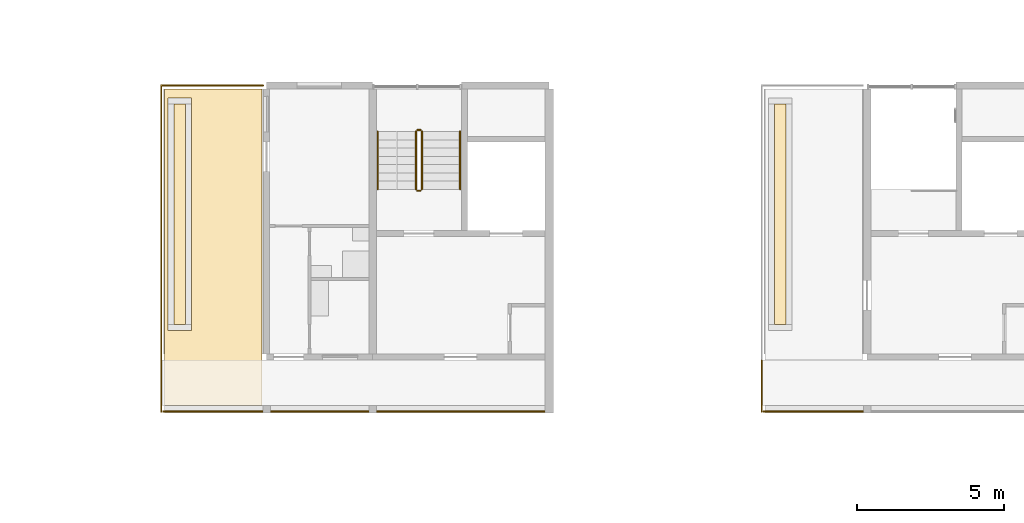
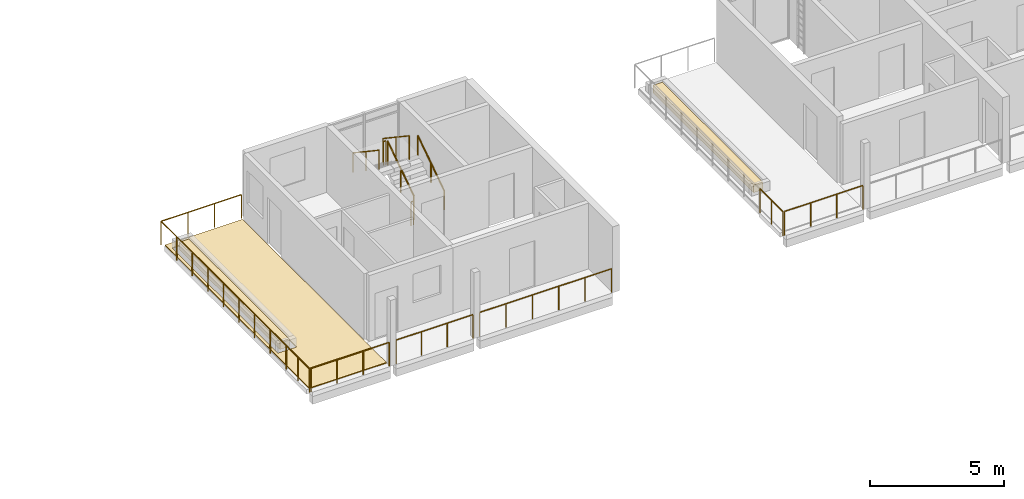
# One storey, part 80 of 87: 13 railings, 4 coverings.
"""IFC4 building model written with IfcOpenShell, lengths in metres."""

from ifc_helpers import new_model, si_unit, direction, frame, origin, origin_2d, place, context, subcontext, project, spatial, polyline, circle, outline, extrude, material, layer, layer_set, type_object, element, save


model = new_model("IFC4")

# Units and contexts
model_context = context("Model", 3, precision=1e-05, world=origin(), true_north=direction((0.0, 1.0)))
body_context = subcontext(model_context, "Body", "Model", "MODEL_VIEW")
ifc_project = project(units=[si_unit("LENGTHUNIT", "METRE"), si_unit("AREAUNIT", "SQUARE_METRE"), si_unit("VOLUMEUNIT", "CUBIC_METRE"), si_unit("PLANEANGLEUNIT", "RADIAN"), si_unit("MASSUNIT", "GRAM", prefix="KILO")], contexts=[model_context])

# Site, building, storey
site_placement = place(None, origin())
site = spatial("IfcSite", under=ifc_project, at=site_placement, CompositionType="ELEMENT")
building_placement = place(site_placement, origin())
building = spatial("IfcBuilding", under=site, at=building_placement, Name="Ridgestep Commons", CompositionType="ELEMENT")
storey_placement = place(building_placement, frame((0.0, 0.0, 27.0)))
storey = spatial("IfcBuildingStorey", under=building, at=storey_placement, Name="L09", CompositionType="ELEMENT", Elevation=27.0)

# Railings
ifc_material_1 = material(Name="Structural steel S355JR", Category="steel")
railing_type_1 = type_object("IfcRailingType", Name="Guard 1100", PredefinedType="GUARDRAIL", material=ifc_material_1)
railing_1_placement = place(storey_placement, frame((150.4208984375, 67.821044921875, 0.0)))
element("IfcRailing", 1, at=railing_1_placement, inside=storey, type_object=railing_type_1, Name="Guard TD-C1R2-GD", PredefinedType="GUARDRAIL", context=body_context, shape_type="SweptSolid", body=[
    extrude(circle(Radius=0.02392578125, at=origin_2d()), frame((0.0, 0.0, 1.076171875), z_axis=(0.0, 1.0, 0.0), x_axis=(-1.0, 0.0, 0.0)), (0.0, 0.0, 1.0), 9.303955078125),
    extrude(circle(Radius=0.02392578125, at=origin_2d()), frame((0.0, 9.303955078125, 1.076171875), z_axis=(1.0, 0.0, 0.0), x_axis=(0.0, 1.0, 0.0)), (0.0, 0.0, 1.0), 3.4580078125),
    extrude(circle(Radius=0.02099609375, at=origin_2d()), origin(), (0.0, 0.0, 1.0), 1.052001953125),
    extrude(circle(Radius=0.02099609375, at=origin_2d()), frame((0.0, 1.1630859375, 0.0)), (0.0, 0.0, 1.0), 1.052001953125),
    extrude(circle(Radius=0.02099609375, at=origin_2d()), frame((0.0, 2.325927734375, 0.0)), (0.0, 0.0, 1.0), 1.052001953125),
    extrude(circle(Radius=0.02099609375, at=origin_2d()), frame((0.0, 3.489013671875, 0.0)), (0.0, 0.0, 1.0), 1.052001953125),
    extrude(circle(Radius=0.02099609375, at=origin_2d()), frame((0.0, 4.65185546875, 0.0)), (0.0, 0.0, 1.0), 1.052001953125),
    extrude(circle(Radius=0.02099609375, at=origin_2d()), frame((0.0, 5.81494140625, 0.0)), (0.0, 0.0, 1.0), 1.052001953125),
    extrude(circle(Radius=0.02099609375, at=origin_2d()), frame((0.0, 6.97802734375, 0.0)), (0.0, 0.0, 1.0), 1.052001953125),
    extrude(circle(Radius=0.02099609375, at=origin_2d()), frame((0.0, 8.140869140625, 0.0)), (0.0, 0.0, 1.0), 1.052001953125),
    extrude(circle(Radius=0.02099609375, at=origin_2d()), frame((0.0, 9.303955078125, 0.0)), (0.0, 0.0, 1.0), 1.052001953125),
    extrude(circle(Radius=0.02099609375, at=origin_2d()), frame((1.152587890625, 9.303955078125, 0.0)), (0.0, 0.0, 1.0), 1.052001953125),
    extrude(circle(Radius=0.02099609375, at=origin_2d()), frame((2.305419921875, 9.303955078125, 0.0)), (0.0, 0.0, 1.0), 1.052001953125),
    extrude(circle(Radius=0.02099609375, at=origin_2d()), frame((3.4580078125, 9.303955078125, 0.0)), (0.0, 0.0, 1.0), 1.052001953125),
])
railing_2_placement = place(storey_placement, frame((150.48388671875, 66.050048828125, 0.0)))
element("IfcRailing", 2, at=railing_2_placement, inside=storey, type_object=railing_type_1, Name="Gallery guard C 09.1", PredefinedType="GUARDRAIL", context=body_context, shape_type="SweptSolid", body=[
    extrude(circle(Radius=0.02392578125, at=origin_2d()), frame((0.0, 0.0, 1.076171875), z_axis=(1.0, 0.0, 0.0), x_axis=(0.0, 1.0, 0.0)), (0.0, 0.0, 1.0), 3.3701171875),
    extrude(circle(Radius=0.02099609375, at=origin_2d()), origin(), (0.0, 0.0, 1.0), 1.052001953125),
    extrude(circle(Radius=0.02099609375, at=origin_2d()), frame((1.123291015625, 0.0, 0.0)), (0.0, 0.0, 1.0), 1.052001953125),
    extrude(circle(Radius=0.02099609375, at=origin_2d()), frame((2.246826171875, 0.0, 0.0)), (0.0, 0.0, 1.0), 1.052001953125),
    extrude(circle(Radius=0.02099609375, at=origin_2d()), frame((3.3701171875, 0.0, 0.0)), (0.0, 0.0, 1.0), 1.052001953125),
])
railing_3_placement = place(storey_placement, frame((150.4208984375, 66.050048828125, 0.0)))
element("IfcRailing", 3, at=railing_3_placement, inside=storey, type_object=railing_type_1, Name="Gallery end guard C 09.1W", PredefinedType="GUARDRAIL", context=body_context, shape_type="SweptSolid", body=[
    extrude(circle(Radius=0.02392578125, at=origin_2d()), frame((0.0, 0.0, 1.076171875), z_axis=(0.0, 1.0, 0.0), x_axis=(-1.0, 0.0, 0.0)), (0.0, 0.0, 1.0), 1.72900390625),
    extrude(circle(Radius=0.02099609375, at=origin_2d()), origin(), (0.0, 0.0, 1.0), 1.052001953125),
    extrude(circle(Radius=0.02099609375, at=origin_2d()), frame((0.0, 0.864501953125, 0.0)), (0.0, 0.0, 1.0), 1.052001953125),
    extrude(circle(Radius=0.02099609375, at=origin_2d()), frame((0.0, 1.72900390625, 0.0)), (0.0, 0.0, 1.0), 1.052001953125),
])
railing_4_placement = place(storey_placement, frame((154.14599609375, 66.050048828125, 0.0)))
element("IfcRailing", 4, at=railing_4_placement, inside=storey, type_object=railing_type_1, Name="Gallery guard C 09.2", PredefinedType="GUARDRAIL", context=body_context, shape_type="SweptSolid", body=[
    extrude(circle(Radius=0.02392578125, at=origin_2d()), frame((0.0, 0.0, 1.076171875), z_axis=(1.0, 0.0, 0.0), x_axis=(0.0, 1.0, 0.0)), (0.0, 0.0, 1.0), 3.30810546875),
    extrude(circle(Radius=0.02099609375, at=origin_2d()), origin(), (0.0, 0.0, 1.0), 1.052001953125),
    extrude(circle(Radius=0.02099609375, at=origin_2d()), frame((1.102783203125, 0.0, 0.0)), (0.0, 0.0, 1.0), 1.052001953125),
    extrude(circle(Radius=0.02099609375, at=origin_2d()), frame((2.205322265625, 0.0, 0.0)), (0.0, 0.0, 1.0), 1.052001953125),
    extrude(circle(Radius=0.02099609375, at=origin_2d()), frame((3.30810546875, 0.0, 0.0)), (0.0, 0.0, 1.0), 1.052001953125),
])
railing_5_placement = place(storey_placement, frame((157.74609375, 66.050048828125, 0.0)))
element("IfcRailing", 5, at=railing_5_placement, inside=storey, type_object=railing_type_1, Name="Gallery guard C 09.3", PredefinedType="GUARDRAIL", context=body_context, shape_type="SweptSolid", body=[
    extrude(circle(Radius=0.02392578125, at=origin_2d()), frame((0.0, 0.0, 1.076171875), z_axis=(1.0, 0.0, 0.0), x_axis=(0.0, 1.0, 0.0)), (0.0, 0.0, 1.0), 5.682861328125),
    extrude(circle(Radius=0.02099609375, at=origin_2d()), origin(), (0.0, 0.0, 1.0), 1.052001953125),
    extrude(circle(Radius=0.02099609375, at=origin_2d()), frame((1.136474609375, 0.0, 0.0)), (0.0, 0.0, 1.0), 1.052001953125),
    extrude(circle(Radius=0.02099609375, at=origin_2d()), frame((2.273193359375, 0.0, 0.0)), (0.0, 0.0, 1.0), 1.052001953125),
    extrude(circle(Radius=0.02099609375, at=origin_2d()), frame((3.40966796875, 0.0, 0.0)), (0.0, 0.0, 1.0), 1.052001953125),
    extrude(circle(Radius=0.02099609375, at=origin_2d()), frame((4.54638671875, 0.0, 0.0)), (0.0, 0.0, 1.0), 1.052001953125),
    extrude(circle(Radius=0.02099609375, at=origin_2d()), frame((5.682861328125, 0.0, 0.0)), (0.0, 0.0, 1.0), 1.052001953125),
])
railing_6_placement = place(storey_placement, frame((170.884033203125, 66.050048828125, 0.0)))
element("IfcRailing", 6, at=railing_6_placement, inside=storey, type_object=railing_type_1, Name="Gallery guard C 09.1", PredefinedType="GUARDRAIL", context=body_context, shape_type="SweptSolid", body=[
    extrude(circle(Radius=0.02392578125, at=origin_2d()), frame((0.0, 0.0, 1.076171875), z_axis=(1.0, 0.0, 0.0), x_axis=(0.0, 1.0, 0.0)), (0.0, 0.0, 1.0), 3.369873046875),
    extrude(circle(Radius=0.02099609375, at=origin_2d()), origin(), (0.0, 0.0, 1.0), 1.052001953125),
    extrude(circle(Radius=0.02099609375, at=origin_2d()), frame((1.123291015625, 0.0, 0.0)), (0.0, 0.0, 1.0), 1.052001953125),
    extrude(circle(Radius=0.02099609375, at=origin_2d()), frame((2.24658203125, 0.0, 0.0)), (0.0, 0.0, 1.0), 1.052001953125),
    extrude(circle(Radius=0.02099609375, at=origin_2d()), frame((3.369873046875, 0.0, 0.0)), (0.0, 0.0, 1.0), 1.052001953125),
])
railing_7_placement = place(storey_placement, frame((170.821044921875, 66.050048828125, 0.0)))
element("IfcRailing", 7, at=railing_7_placement, inside=storey, type_object=railing_type_1, Name="Gallery end guard C 09.1W", PredefinedType="GUARDRAIL", context=body_context, shape_type="SweptSolid", body=[
    extrude(circle(Radius=0.02392578125, at=origin_2d()), frame((0.0, 0.0, 1.076171875), z_axis=(0.0, 1.0, 0.0), x_axis=(-1.0, 0.0, 0.0)), (0.0, 0.0, 1.0), 1.72900390625),
    extrude(circle(Radius=0.02099609375, at=origin_2d()), origin(), (0.0, 0.0, 1.0), 1.052001953125),
    extrude(circle(Radius=0.02099609375, at=origin_2d()), frame((0.0, 0.864501953125, 0.0)), (0.0, 0.0, 1.0), 1.052001953125),
    extrude(circle(Radius=0.02099609375, at=origin_2d()), frame((0.0, 1.72900390625, 0.0)), (0.0, 0.0, 1.0), 1.052001953125),
])

# Coverings
ifc_material_2 = material(Name="Planting soil")
ifc_layer_1 = layer(ifc_material_2, 0.35009765625)
ifc_layer_set_1 = layer_set([ifc_layer_1], Name="Planting soil 350")
covering_type_1 = type_object("IfcCoveringType", Name="Planting soil 350", PredefinedType="FLOORING", material=ifc_layer_set_1)
covering_1_placement = place(storey_placement, frame((0.0, 0.0, 0.010009765625)))
element("IfcCovering", 8, at=covering_1_placement, inside=storey, type_object=covering_type_1, Name="Planting soil C1R2", PredefinedType="FLOORING", context=body_context, shape_type="SweptSolid", body=[
    extrude(outline(polyline([(150.85009765625, 69.0), (151.25, 69.0), (151.25, 76.5), (150.85009765625, 76.5), (150.85009765625, 69.0)])), origin(), (0.0, 0.0, 1.0), 0.35009765625),
])
covering_2_placement = place(storey_placement, frame((0.0, 0.0, 0.010009765625)))
element("IfcCovering", 9, at=covering_2_placement, inside=storey, type_object=covering_type_1, Name="Planting soil C2R3", PredefinedType="FLOORING", context=body_context, shape_type="SweptSolid", body=[
    extrude(outline(polyline([(171.25, 69.0), (171.64990234375, 69.0), (171.64990234375, 76.5), (171.25, 76.5), (171.25, 69.0)])), origin(), (0.0, 0.0, 1.0), 0.35009765625),
])

# Railings
ifc_material_3 = material(Name="Structural steel S355JR", Category="steel")
railing_type_2 = type_object("IfcRailingType", Name="Stair guard 1100", PredefinedType="GUARDRAIL", material=ifc_material_3)
railing_8_placement = place(storey_placement, frame((159.27490234375, 73.60009765625, 0.1875)))
element("IfcRailing", 10, at=railing_8_placement, inside=storey, type_object=railing_type_2, Name="L09 C1C stair guard 1", PredefinedType="GUARDRAIL", context=body_context, shape_type="SweptSolid", body=[
    extrude(circle(Radius=0.02392578125, at=origin_2d()), frame((0.0, 0.0, 1.076171875), z_axis=(0.0, 0.830902050051, 0.556418712142), x_axis=(-1.0, 0.0, 0.0)), (0.0, 0.0, 1.0), 2.35888671875),
    extrude(circle(Radius=0.02099609375, at=origin_2d()), origin(), (0.0, 0.0, 1.0), 1.052001953125),
    extrude(circle(Radius=0.02099609375, at=origin_2d()), frame((0.0, 0.97998046875, 0.65625)), (0.0, 0.0, 1.0), 1.052001953125),
    extrude(circle(Radius=0.02099609375, at=origin_2d()), frame((0.0, 1.9599609375, 1.3125)), (0.0, 0.0, 1.0), 1.052001953125),
])
railing_9_placement = place(storey_placement, frame((159.22509765625, 75.610107421875, 1.5)))
element("IfcRailing", 11, at=railing_9_placement, inside=storey, type_object=railing_type_2, Name="L09 C1C stair guard 2", PredefinedType="GUARDRAIL", context=body_context, shape_type="SweptSolid", body=[
    extrude(circle(Radius=0.02392578125, at=origin_2d()), frame((0.0, 0.0, 1.076171875), z_axis=(-1.0, 0.0, 0.0), x_axis=(0.0, -1.0, 0.0)), (0.0, 0.0, 1.0), 0.10009765625),
    extrude(circle(Radius=0.02099609375, at=origin_2d()), origin(), (0.0, 0.0, 1.0), 1.052001953125),
    extrude(circle(Radius=0.02099609375, at=origin_2d()), frame((-0.10009765625, 0.0, 0.0)), (0.0, 0.0, 1.0), 1.052001953125),
])
railing_10_placement = place(storey_placement, frame((159.074951171875, 75.56005859375, 1.6875)))
element("IfcRailing", 12, at=railing_10_placement, inside=storey, type_object=railing_type_2, Name="L09 C1C stair guard 3", PredefinedType="GUARDRAIL", context=body_context, shape_type="SweptSolid", body=[
    extrude(circle(Radius=0.02392578125, at=origin_2d()), frame((0.0, 0.0, 1.076171875), z_axis=(0.0, -0.830902050051, 0.556418712142), x_axis=(1.0, 0.0, 0.0)), (0.0, 0.0, 1.0), 2.35888671875),
    extrude(circle(Radius=0.02099609375, at=origin_2d()), origin(), (0.0, 0.0, 1.0), 1.052001953125),
    extrude(circle(Radius=0.02099609375, at=origin_2d()), frame((0.0, -0.97998046875, 0.65625)), (0.0, 0.0, 1.0), 1.052001953125),
    extrude(circle(Radius=0.02099609375, at=origin_2d()), frame((0.0, -1.9599609375, 1.3125)), (0.0, 0.0, 1.0), 1.052001953125),
])
railing_11_placement = place(storey_placement, frame((159.22509765625, 73.550048828125, 0.0)))
element("IfcRailing", 13, at=railing_11_placement, inside=storey, type_object=railing_type_2, Name="L09 C1C stair guard 4", PredefinedType="GUARDRAIL", context=body_context, shape_type="SweptSolid", body=[
    extrude(circle(Radius=0.02392578125, at=origin_2d()), frame((0.0, 0.0, 1.076171875), z_axis=(-1.0, 0.0, 0.0), x_axis=(0.0, -1.0, 0.0)), (0.0, 0.0, 1.0), 0.10009765625),
    extrude(circle(Radius=0.02099609375, at=origin_2d()), origin(), (0.0, 0.0, 1.0), 1.052001953125),
    extrude(circle(Radius=0.02099609375, at=origin_2d()), frame((-0.10009765625, 0.0, 0.0)), (0.0, 0.0, 1.0), 1.052001953125),
])
ifc_material_4 = material(Name="Structural steel S355JR", Category="steel")
railing_type_3 = type_object("IfcRailingType", Name="Stair handrail 900", PredefinedType="HANDRAIL", material=ifc_material_4)
railing_12_placement = place(storey_placement, frame((160.574951171875, 73.60009765625, 0.1875)))
element("IfcRailing", 14, at=railing_12_placement, inside=storey, type_object=railing_type_3, Name="L09 C1C stair handrail 1", PredefinedType="HANDRAIL", context=body_context, shape_type="SweptSolid", body=[
    extrude(circle(Radius=0.02392578125, at=origin_2d()), frame((0.0, 0.0, 0.8759765625), z_axis=(0.0, 0.830902050051, 0.556418712142), x_axis=(-1.0, 0.0, 0.0)), (0.0, 0.0, 1.0), 2.35888671875),
    extrude(circle(Radius=0.02099609375, at=origin_2d()), origin(), (0.0, 0.0, 1.0), 0.851806640625),
    extrude(circle(Radius=0.02099609375, at=origin_2d()), frame((0.0, 0.97998046875, 0.65625)), (0.0, 0.0, 1.0), 0.851806640625),
    extrude(circle(Radius=0.02099609375, at=origin_2d()), frame((0.0, 1.9599609375, 1.3125)), (0.0, 0.0, 1.0), 0.851806640625),
])
railing_13_placement = place(storey_placement, frame((157.77490234375, 75.56005859375, 1.6875)))
element("IfcRailing", 15, at=railing_13_placement, inside=storey, type_object=railing_type_3, Name="L09 C1C stair handrail 2", PredefinedType="HANDRAIL", context=body_context, shape_type="SweptSolid", body=[
    extrude(circle(Radius=0.02392578125, at=origin_2d()), frame((0.0, 0.0, 0.8759765625), z_axis=(0.0, -0.830902050051, 0.556418712142), x_axis=(1.0, 0.0, 0.0)), (0.0, 0.0, 1.0), 2.35888671875),
    extrude(circle(Radius=0.02099609375, at=origin_2d()), origin(), (0.0, 0.0, 1.0), 0.851806640625),
    extrude(circle(Radius=0.02099609375, at=origin_2d()), frame((0.0, -0.97998046875, 0.65625)), (0.0, 0.0, 1.0), 0.851806640625),
    extrude(circle(Radius=0.02099609375, at=origin_2d()), frame((0.0, -1.9599609375, 1.3125)), (0.0, 0.0, 1.0), 0.851806640625),
])

# Coverings
ifc_material_5 = material(Name="Bitumen membrane, two layer")
ifc_layer_2 = layer(ifc_material_5, 0.010009765625)
ifc_layer_set_2 = layer_set([ifc_layer_2], Name="Terrace membrane 10")
covering_type_2 = type_object("IfcCoveringType", Name="Terrace membrane 10", PredefinedType="ROOFING", material=ifc_layer_set_2)
covering_3_placement = place(storey_placement, origin())
element("IfcCovering", 16, at=covering_3_placement, inside=storey, type_object=covering_type_2, Name="Terrace membrane C1R2", PredefinedType="ROOFING", context=body_context, shape_type="SweptSolid", body=[
    extrude(outline(polyline([(153.85009765625, 66.25), (153.85009765625, 77.0), (150.52490234375, 77.0), (150.52490234375, 66.25), (153.85009765625, 66.25)]), holes=[polyline([(151.449951171875, 68.800048828125), (151.449951171875, 76.699951171875), (150.64990234375, 76.699951171875), (150.64990234375, 68.800048828125), (151.449951171875, 68.800048828125)])]), origin(), (0.0, 0.0, 1.0), 0.010009765625),
])
ifc_material_6 = material(Name="Concrete paving slab", Category="concrete")
ifc_layer_3 = layer(ifc_material_6, 0.030029296875)
ifc_layer_set_3 = layer_set([ifc_layer_3], Name="Terrace paving 30")
covering_type_3 = type_object("IfcCoveringType", Name="Terrace paving 30", PredefinedType="FLOORING", material=ifc_layer_set_3)
covering_4_placement = place(storey_placement, frame((0.0, 0.0, 0.010009765625)))
element("IfcCovering", 17, at=covering_4_placement, inside=storey, type_object=covering_type_3, Name="Terrace paving C1R2", PredefinedType="FLOORING", context=body_context, shape_type="SweptSolid", body=[
    extrude(outline(polyline([(153.85009765625, 66.25), (153.85009765625, 77.0), (150.52490234375, 77.0), (150.52490234375, 66.25), (153.85009765625, 66.25)]), holes=[polyline([(151.449951171875, 68.800048828125), (151.449951171875, 76.699951171875), (150.64990234375, 76.699951171875), (150.64990234375, 68.800048828125), (151.449951171875, 68.800048828125)])]), origin(), (0.0, 0.0, 1.0), 0.030029296875),
])

save(model, "model.ifc")
